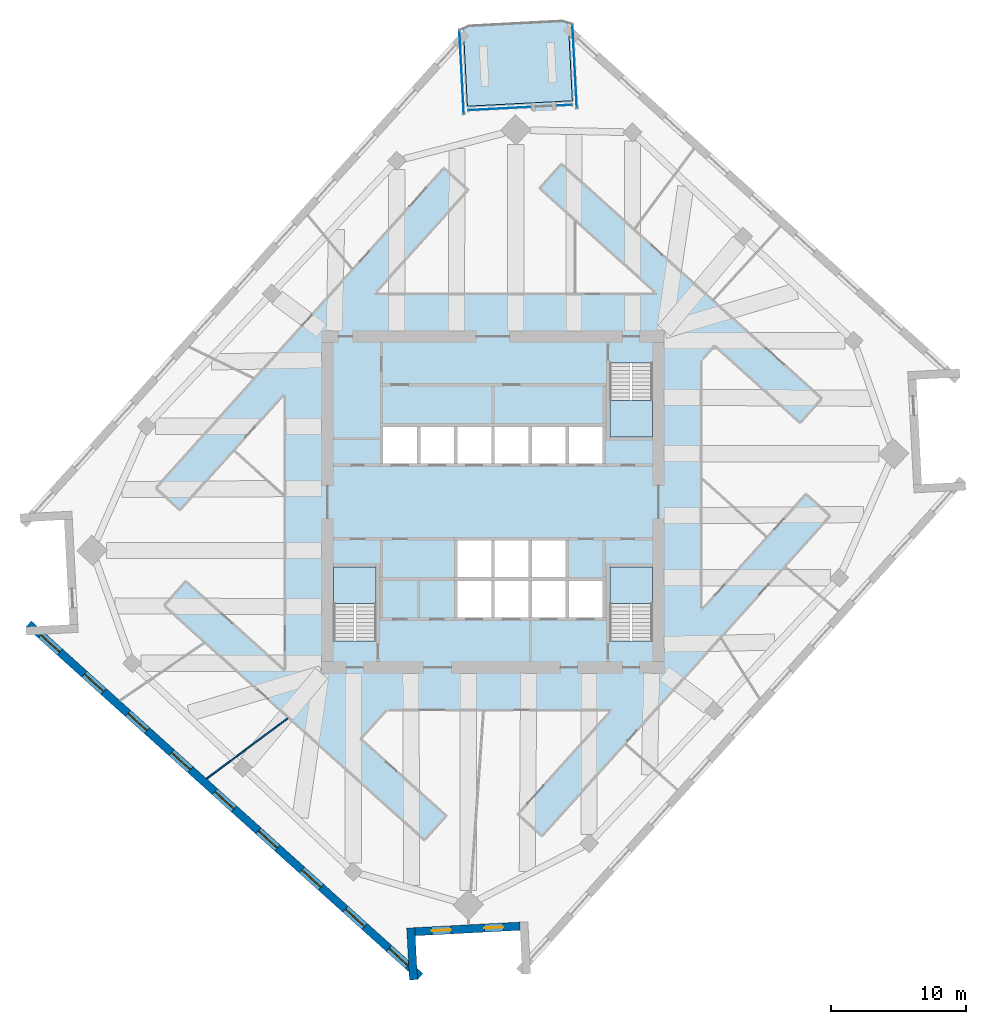
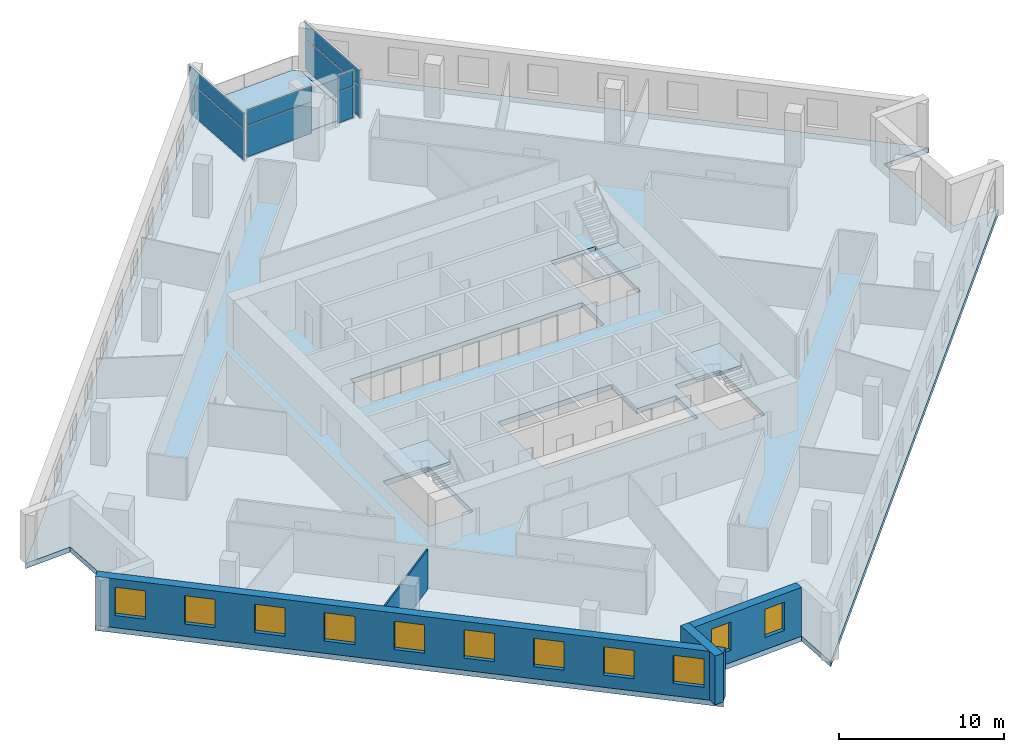
# One storey, part 5 of 12: 11 windows, 8 plates, 5 slabs, 4 walls, 11 openings, 7 elements without a shape of their own.
"""IFC4 building model written with IfcOpenShell, lengths in metres."""

from ifc_helpers import new_model, si_unit, direction, frame, frame_2d, origin, origin_2d, place, context, subcontext, project, spatial, polyline, rectangle, outline, extrude, material, layer, layer_set, type_object, element, fill, aggregate, save


model = new_model("IFC4")

# Units and contexts
model_context = context("Model", 3, precision=1e-05, world=origin(), true_north=direction((0.0, 1.0)))
body_context = subcontext(model_context, "Body", "Model", "MODEL_VIEW")
ifc_project = project(units=[si_unit("LENGTHUNIT", "METRE"), si_unit("AREAUNIT", "SQUARE_METRE"), si_unit("VOLUMEUNIT", "CUBIC_METRE"), si_unit("PLANEANGLEUNIT", "RADIAN"), si_unit("MASSUNIT", "GRAM", prefix="KILO")], contexts=[model_context])

# Site, building, storey
site_placement = place(None, origin())
site = spatial("IfcSite", under=ifc_project, at=site_placement, CompositionType="ELEMENT")
building_placement = place(site_placement, origin())
building = spatial("IfcBuilding", under=site, at=building_placement, Name="Dilmun Exchange Tower", CompositionType="ELEMENT")
storey_placement = place(building_placement, frame((0.0, 0.0, 221.300048828125)))
storey = spatial("IfcBuildingStorey", under=building, at=storey_placement, Name="L52", CompositionType="ELEMENT", Elevation=221.300048828125)

# Stair, slab
ifc_material_1 = material(Name="Concrete C40/50", Category="concrete")
stair_type = type_object("IfcStairType", Name="Exit stair 1500 half-turn", PredefinedType="HALF_TURN_STAIR", material=ifc_material_1)
stair_1_placement = place(storey_placement, origin())
stair_1 = element("IfcStair", 1, at=stair_1_placement, inside=storey, type_object=stair_type, Name="L52 Protected exit stair ST1", PredefinedType="HALF_TURN_STAIR")
ifc_layer_1 = layer(ifc_material_1, 0.199951171875)
ifc_layer_set_1 = layer_set([ifc_layer_1], Name="Concrete C40/50")
slab_type_1 = type_object("IfcSlabType", Name="Exit stair landing 200", PredefinedType="LANDING", material=ifc_layer_set_1)
slab_1_placement = place(storey_placement, frame((0.0, 0.0, 1.800048828125)))
slab_1 = element("IfcSlab", 2, at=slab_1_placement, type_object=slab_type_1, Name="ST1 landing 1", PredefinedType="LANDING", context=body_context, shape_type="SweptSolid", body=[
    extrude(outline(polyline([(8.64990234375, 7.5), (8.64990234375, 4.800048828125), (11.800048828125, 4.800048828125), (11.800048828125, 7.5), (8.64990234375, 7.5)])), origin(), (0.0, 0.0, 1.0), 0.199951171875),
])
aggregate(stair_1, [slab_1])

stair_2_placement = place(storey_placement, origin())
stair_2 = element("IfcStair", 3, at=stair_2_placement, inside=storey, type_object=stair_type, Name="L52 Protected exit stair ST2", PredefinedType="HALF_TURN_STAIR")
slab_2_placement = place(storey_placement, frame((0.0, 0.0, 1.800048828125)))
slab_2 = element("IfcSlab", 4, at=slab_2_placement, type_object=slab_type_1, Name="ST2 landing 1", PredefinedType="LANDING", context=body_context, shape_type="SweptSolid", body=[
    extrude(outline(polyline([(-8.64990234375, -7.5), (-8.64990234375, -4.800048828125), (-11.800048828125, -4.800048828125), (-11.800048828125, -7.5), (-8.64990234375, -7.5)])), origin(), (0.0, 0.0, 1.0), 0.199951171875),
])
aggregate(stair_2, [slab_2])

stair_3_placement = place(storey_placement, origin())
stair_3 = element("IfcStair", 5, at=stair_3_placement, inside=storey, type_object=stair_type, Name="L52 Protected exit stair ST3", PredefinedType="HALF_TURN_STAIR")
slab_3_placement = place(storey_placement, frame((0.0, 0.0, 1.800048828125)))
slab_3 = element("IfcSlab", 6, at=slab_3_placement, type_object=slab_type_1, Name="ST3 landing 1", PredefinedType="LANDING", context=body_context, shape_type="SweptSolid", body=[
    extrude(outline(polyline([(11.800048828125, -7.5), (11.800048828125, -4.800048828125), (8.64990234375, -4.800048828125), (8.64990234375, -7.5), (11.800048828125, -7.5)])), origin(), (0.0, 0.0, 1.0), 0.199951171875),
])
aggregate(stair_3, [slab_3])

# Curtain wall, plates
ifc_material_2 = material(Name="Anodised aluminium and clear glass", Category="aluminium")
curtain_wall_type = type_object("IfcCurtainWallType", Name="Garden corner glazing", PredefinedType="NOTDEFINED", material=ifc_material_2)
curtain_wall_1_placement = place(storey_placement, origin())
curtain_wall_1 = element("IfcCurtainWall", 7, at=curtain_wall_1_placement, inside=storey, type_object=curtain_wall_type, Name="Garden corner glazing run GC1.1", PredefinedType="NOTDEFINED")
ifc_material_3 = material(Name="Clear glass", Category="glass")
ifc_layer_2 = layer(ifc_material_3, 0.028076171875)
ifc_layer_set_2 = layer_set([ifc_layer_2], Name="Clear glass")
plate_type = type_object("IfcPlateType", Name="Garden corner glazing glass panel 28", PredefinedType="CURTAIN_PANEL", material=ifc_layer_set_2)
plate_1_placement = place(storey_placement, frame((6.045654296875, 32.2392578125, 0.059814453125), z_axis=(0.0, 0.0, 1.0), x_axis=(0.052333643452, -0.99862965596, 0.0)))
plate_1 = element("IfcPlate", 8, at=plate_1_placement, type_object=plate_type, Name="GC1.1 panel 1.1", PredefinedType="CURTAIN_PANEL", context=body_context, shape_type="SweptSolid", body=[
    extrude(rectangle(XDim=6.12646484375, YDim=0.028076171875, at=origin_2d()), origin(), (0.0, 0.0, 1.0), 2.31005859375),
])
plate_2_placement = place(storey_placement, frame((6.045654296875, 32.2392578125, 2.429931640625), z_axis=(0.0, 0.0, 1.0), x_axis=(0.052333643452, -0.99862965596, 0.0)))
plate_2 = element("IfcPlate", 9, at=plate_2_placement, type_object=plate_type, Name="GC1.1 panel 1.2", PredefinedType="CURTAIN_PANEL", context=body_context, shape_type="SweptSolid", body=[
    extrude(rectangle(XDim=6.12646484375, YDim=0.028076171875, at=origin_2d()), origin(), (0.0, 0.0, 1.0), 1.1298828125),
])
aggregate(curtain_wall_1, [plate_1, plate_2])

curtain_wall_2_placement = place(storey_placement, origin())
curtain_wall_2 = element("IfcCurtainWall", 10, at=curtain_wall_2_placement, inside=storey, type_object=curtain_wall_type, Name="Garden corner glazing run GC2.1", PredefinedType="NOTDEFINED")
plate_3_placement = place(storey_placement, frame((5.275146484375, 29.37158203125, 0.059814453125), z_axis=(0.0, 0.0, 1.0), x_axis=(-0.998627399071, -0.052376691608, 0.0)))
plate_3 = element("IfcPlate", 11, at=plate_3_placement, type_object=plate_type, Name="GC2.1 panel 1.1", PredefinedType="CURTAIN_PANEL", context=body_context, shape_type="SweptSolid", body=[
    extrude(rectangle(XDim=1.119140625, YDim=0.028076171875, at=origin_2d()), origin(), (0.0, 0.0, 1.0), 2.31005859375),
])
plate_4_placement = place(storey_placement, frame((5.275146484375, 29.37158203125, 2.429931640625), z_axis=(0.0, 0.0, 1.0), x_axis=(-0.998627399071, -0.052376691608, 0.0)))
plate_4 = element("IfcPlate", 12, at=plate_4_placement, type_object=plate_type, Name="GC2.1 panel 1.2", PredefinedType="CURTAIN_PANEL", context=body_context, shape_type="SweptSolid", body=[
    extrude(rectangle(XDim=1.119140625, YDim=0.028076171875, at=origin_2d()), origin(), (0.0, 0.0, 1.0), 1.1298828125),
])
aggregate(curtain_wall_2, [plate_3, plate_4])

curtain_wall_3_placement = place(storey_placement, origin())
curtain_wall_3 = element("IfcCurtainWall", 13, at=curtain_wall_3_placement, inside=storey, type_object=curtain_wall_type, Name="Garden corner glazing run GC2.3", PredefinedType="NOTDEFINED")
plate_5_placement = place(storey_placement, frame((0.49267578125, 29.12109375, 0.059814453125), z_axis=(0.0, 0.0, 1.0), x_axis=(-0.998629811068, -0.052330683595, 0.0)))
plate_5 = element("IfcPlate", 14, at=plate_5_placement, type_object=plate_type, Name="GC2.3 panel 1.1", PredefinedType="CURTAIN_PANEL", context=body_context, shape_type="SweptSolid", body=[
    extrude(rectangle(XDim=4.619140625, YDim=0.028076171875, at=origin_2d()), origin(), (0.0, 0.0, 1.0), 2.31005859375),
])
plate_6_placement = place(storey_placement, frame((0.49267578125, 29.12109375, 2.429931640625), z_axis=(0.0, 0.0, 1.0), x_axis=(-0.998629811068, -0.052330683595, 0.0)))
plate_6 = element("IfcPlate", 15, at=plate_6_placement, type_object=plate_type, Name="GC2.3 panel 1.2", PredefinedType="CURTAIN_PANEL", context=body_context, shape_type="SweptSolid", body=[
    extrude(rectangle(XDim=4.619140625, YDim=0.028076171875, at=origin_2d()), origin(), (0.0, 0.0, 1.0), 1.1298828125),
])
aggregate(curtain_wall_3, [plate_5, plate_6])

curtain_wall_4_placement = place(storey_placement, origin())
curtain_wall_4 = element("IfcCurtainWall", 16, at=curtain_wall_4_placement, inside=storey, type_object=curtain_wall_type, Name="Garden corner glazing run GC3.1", PredefinedType="NOTDEFINED")
plate_7_placement = place(storey_placement, frame((-2.321044921875, 31.800537109375, 0.059814453125), z_axis=(0.0, 0.0, 1.0), x_axis=(-0.052333643452, 0.99862965596, 0.0)))
plate_7 = element("IfcPlate", 17, at=plate_7_placement, type_object=plate_type, Name="GC3.1 panel 1.1", PredefinedType="CURTAIN_PANEL", context=body_context, shape_type="SweptSolid", body=[
    extrude(rectangle(XDim=6.12646484375, YDim=0.028076171875, at=origin_2d()), origin(), (0.0, 0.0, 1.0), 2.31005859375),
])
plate_8_placement = place(storey_placement, frame((-2.321044921875, 31.800537109375, 2.429931640625), z_axis=(0.0, 0.0, 1.0), x_axis=(-0.052333643452, 0.99862965596, 0.0)))
plate_8 = element("IfcPlate", 18, at=plate_8_placement, type_object=plate_type, Name="GC3.1 panel 1.2", PredefinedType="CURTAIN_PANEL", context=body_context, shape_type="SweptSolid", body=[
    extrude(rectangle(XDim=6.12646484375, YDim=0.028076171875, at=origin_2d()), origin(), (0.0, 0.0, 1.0), 1.1298828125),
])
aggregate(curtain_wall_4, [plate_7, plate_8])

# Slabs
ifc_layer_3 = layer(ifc_material_1, 0.3798828125)
ifc_layer_set_3 = layer_set([ifc_layer_3], Name="Concrete C40/50")
slab_type_2 = type_object("IfcSlabType", Name="RC floor slab 380", PredefinedType="FLOOR", material=ifc_layer_set_3)
slab_4_placement = place(storey_placement, frame((0.0, 0.0, -0.380126953125)))
element("IfcSlab", 19, at=slab_4_placement, inside=storey, type_object=slab_type_2, Name="Floor slab", PredefinedType="FLOOR", context=body_context, shape_type="SweptSolid", body=[
    extrude(outline(polyline([(31.3232421875, 9.076416015625), (31.730224609375, 1.308837890625), (34.972412109375, 1.478759765625), (2.184814453125, -34.935302734375), (2.014892578125, -31.693359375), (-5.75244140625, -32.100341796875), (-5.58251953125, -35.34228515625), (-34.565185546875, -9.246337890625), (-31.3232421875, -9.076416015625), (-31.730224609375, -1.308837890625), (-34.972412109375, -1.478759765625), (-2.184814453125, 34.935302734375), (-1.889404296875, 29.296630859375), (5.878173828125, 29.70361328125), (5.58251953125, 35.34228515625), (34.565185546875, 9.246337890625), (31.3232421875, 9.076416015625)]), holes=[polyline([(-8.64990234375, -4.800048828125), (-11.800048828125, -4.800048828125), (-11.800048828125, -10.294921875), (-8.64990234375, -10.294921875), (-8.64990234375, -4.800048828125)]), polyline([(11.800048828125, -4.800048828125), (8.64990234375, -4.800048828125), (8.64990234375, -10.294921875), (11.800048828125, -10.294921875), (11.800048828125, -4.800048828125)]), polyline([(5.375, -2.85009765625), (-2.625, -2.85009765625), (-2.625, -8.550048828125), (8.125, -8.550048828125), (8.125, -5.85009765625), (5.375, -5.85009765625), (5.375, -2.85009765625)]), polyline([(8.125, 2.85009765625), (8.125, 5.550048828125), (-8.125, 5.550048828125), (-8.125, 2.85009765625), (8.125, 2.85009765625)]), polyline([(8.64990234375, 10.294921875), (8.64990234375, 4.800048828125), (11.800048828125, 4.800048828125), (11.800048828125, 10.294921875), (8.64990234375, 10.294921875)])]), origin(), (0.0, 0.0, 1.0), 0.380126953125),
])
ifc_layer_4 = layer(ifc_material_1, 0.300048828125)
ifc_layer_set_4 = layer_set([ifc_layer_4], Name="Concrete C40/50")
slab_type_3 = type_object("IfcSlabType", Name="RC garden terrace slab 300", PredefinedType="FLOOR", material=ifc_layer_set_4)
slab_5_placement = place(storey_placement, frame((0.0, 0.0, -0.300048828125)))
element("IfcSlab", 20, at=slab_5_placement, inside=storey, type_object=slab_type_3, Name="Garden terrace slab", PredefinedType="FLOOR", context=body_context, shape_type="SweptSolid", body=[
    extrude(outline(polyline([(-1.889404296875, 29.296630859375), (-2.184814453125, 34.935302734375), (-1.850341796875, 35.306884765625), (5.2109375, 35.677001953125), (5.58251953125, 35.34228515625), (5.878173828125, 29.70361328125), (-1.889404296875, 29.296630859375)])), origin(), (0.0, 0.0, 1.0), 0.300048828125),
])

# Wall
ifc_material_4 = material(Name="Partition 100")
ifc_layer_5 = layer(ifc_material_4, 0.10009765625)
ifc_layer_set_5 = layer_set([ifc_layer_5], Name="Partition 100")
wall_type_1 = type_object("IfcWallType", Name="Partition 100", PredefinedType="PARTITIONING", material=ifc_layer_set_5)
wall_1_placement = place(storey_placement, frame((-21.193359375, -20.476318359375, 0.0), z_axis=(0.0, 0.0, 1.0), x_axis=(0.802187781021, 0.597071824808, 0.0)))
element("IfcWall", 21, at=wall_1_placement, inside=storey, type_object=wall_type_1, Name="Partition", PredefinedType="PARTITIONING", context=body_context, shape_type="SweptSolid", body=[
    extrude(rectangle(XDim=7.480712890625, YDim=0.10009765625, at=frame_2d((3.740234375, 0.0))), origin(), (0.0, 0.0, 1.0), 2.969970703125),
])

# Wall, openings, windows
ifc_material_5 = material(Name="Precast concrete C50/60", Category="concrete")
ifc_layer_6 = layer(ifc_material_5, 0.60009765625)
ifc_layer_set_6 = layer_set([ifc_layer_6], Name="Precast concrete C50/60")
wall_type_2 = type_object("IfcWallType", Name="Precast stone-clad wall 600", PredefinedType="STANDARD", material=ifc_layer_set_6)
wall_2_placement = place(storey_placement, frame((-34.364501953125, -9.0234375, 0.0), z_axis=(0.0, 0.0, 1.0), x_axis=(0.743146896498, -0.66912830625, 0.0)))
wall_2 = element("IfcWall", 22, at=wall_2_placement, inside=storey, type_object=wall_type_2, Name="Facade wall L52-07", PredefinedType="STANDARD", context=body_context, shape_type="SweptSolid", body=[
    extrude(rectangle(XDim=39.0, YDim=0.60009765625, at=frame_2d((19.5, 0.0))), origin(), (0.0, 0.0, 1.0), 3.619873046875),
])
opening_1_placement = place(wall_2_placement, frame((1.216796875, 0.0, 0.89990234375)))
opening_1 = element("IfcOpeningElement", 23, at=opening_1_placement, cuts=wall_2, Name="Opening W190-210", PredefinedType="OPENING", context=body_context, shape_type="SweptSolid", body=[
    extrude(rectangle(XDim=1.89990234375, YDim=2.10009765625, at=frame_2d((0.949951171875, 1.050048828125))), frame((0.0, 0.31005859375, 0.0), z_axis=(0.0, -1.0, 0.0), x_axis=(1.0, 0.0, 0.0)), (0.0, 0.0, 1.0), 0.6201171875),
])
opening_2_placement = place(wall_2_placement, frame((5.550048828125, 0.0, 0.89990234375)))
opening_2 = element("IfcOpeningElement", 24, at=opening_2_placement, cuts=wall_2, Name="Opening W190-210", PredefinedType="OPENING", context=body_context, shape_type="SweptSolid", body=[
    extrude(rectangle(XDim=1.89990234375, YDim=2.10009765625, at=frame_2d((0.949951171875, 1.050048828125))), frame((0.0, 0.31005859375, 0.0), z_axis=(0.0, -1.0, 0.0), x_axis=(1.0, 0.0, 0.0)), (0.0, 0.0, 1.0), 0.6201171875),
])
opening_3_placement = place(wall_2_placement, frame((9.88330078125, 0.0, 0.89990234375)))
opening_3 = element("IfcOpeningElement", 25, at=opening_3_placement, cuts=wall_2, Name="Opening W190-210", PredefinedType="OPENING", context=body_context, shape_type="SweptSolid", body=[
    extrude(rectangle(XDim=1.89990234375, YDim=2.10009765625, at=frame_2d((0.949951171875, 1.050048828125))), frame((0.0, 0.31005859375, 0.0), z_axis=(0.0, -1.0, 0.0), x_axis=(1.0, 0.0, 0.0)), (0.0, 0.0, 1.0), 0.6201171875),
])
opening_4_placement = place(wall_2_placement, frame((14.216796875, 0.0, 0.89990234375)))
opening_4 = element("IfcOpeningElement", 26, at=opening_4_placement, cuts=wall_2, Name="Opening W190-210", PredefinedType="OPENING", context=body_context, shape_type="SweptSolid", body=[
    extrude(rectangle(XDim=1.89990234375, YDim=2.10009765625, at=frame_2d((0.949951171875, 1.050048828125))), frame((0.0, 0.31005859375, 0.0), z_axis=(0.0, -1.0, 0.0), x_axis=(1.0, 0.0, 0.0)), (0.0, 0.0, 1.0), 0.6201171875),
])
opening_5_placement = place(wall_2_placement, frame((18.550048828125, 0.0, 0.89990234375)))
opening_5 = element("IfcOpeningElement", 27, at=opening_5_placement, cuts=wall_2, Name="Opening W190-210", PredefinedType="OPENING", context=body_context, shape_type="SweptSolid", body=[
    extrude(rectangle(XDim=1.89990234375, YDim=2.10009765625, at=frame_2d((0.949951171875, 1.050048828125))), frame((0.0, 0.31005859375, 0.0), z_axis=(0.0, -1.0, 0.0), x_axis=(1.0, 0.0, 0.0)), (0.0, 0.0, 1.0), 0.6201171875),
])
opening_6_placement = place(wall_2_placement, frame((22.88330078125, 0.0, 0.89990234375)))
opening_6 = element("IfcOpeningElement", 28, at=opening_6_placement, cuts=wall_2, Name="Opening W190-210", PredefinedType="OPENING", context=body_context, shape_type="SweptSolid", body=[
    extrude(rectangle(XDim=1.89990234375, YDim=2.10009765625, at=frame_2d((0.949951171875, 1.050048828125))), frame((0.0, 0.31005859375, 0.0), z_axis=(0.0, -1.0, 0.0), x_axis=(1.0, 0.0, 0.0)), (0.0, 0.0, 1.0), 0.6201171875),
])
opening_7_placement = place(wall_2_placement, frame((27.216796875, 0.0, 0.89990234375)))
opening_7 = element("IfcOpeningElement", 29, at=opening_7_placement, cuts=wall_2, Name="Opening W190-210", PredefinedType="OPENING", context=body_context, shape_type="SweptSolid", body=[
    extrude(rectangle(XDim=1.89990234375, YDim=2.10009765625, at=frame_2d((0.949951171875, 1.050048828125))), frame((0.0, 0.31005859375, 0.0), z_axis=(0.0, -1.0, 0.0), x_axis=(1.0, 0.0, 0.0)), (0.0, 0.0, 1.0), 0.6201171875),
])
opening_8_placement = place(wall_2_placement, frame((31.550048828125, 0.0, 0.89990234375)))
opening_8 = element("IfcOpeningElement", 30, at=opening_8_placement, cuts=wall_2, Name="Opening W190-210", PredefinedType="OPENING", context=body_context, shape_type="SweptSolid", body=[
    extrude(rectangle(XDim=1.89990234375, YDim=2.10009765625, at=frame_2d((0.949951171875, 1.050048828125))), frame((0.0, 0.31005859375, 0.0), z_axis=(0.0, -1.0, 0.0), x_axis=(1.0, 0.0, 0.0)), (0.0, 0.0, 1.0), 0.6201171875),
])
opening_9_placement = place(wall_2_placement, frame((35.88330078125, 0.0, 0.89990234375)))
opening_9 = element("IfcOpeningElement", 31, at=opening_9_placement, cuts=wall_2, Name="Opening W190-210", PredefinedType="OPENING", context=body_context, shape_type="SweptSolid", body=[
    extrude(rectangle(XDim=1.89990234375, YDim=2.10009765625, at=frame_2d((0.949951171875, 1.050048828125))), frame((0.0, 0.31005859375, 0.0), z_axis=(0.0, -1.0, 0.0), x_axis=(1.0, 0.0, 0.0)), (0.0, 0.0, 1.0), 0.6201171875),
])
ifc_material_6 = material(Name="Clear low-emissivity glass in aluminium frame", Category="aluminium")
window_type_1 = type_object("IfcWindowType", Name="Punched window 1900 x 2100", PartitioningType="DOUBLE_PANEL_VERTICAL", PredefinedType="WINDOW", material=ifc_material_6)
window_1_placement = place(opening_1_placement, origin())
window_1 = element("IfcWindow", 32, at=window_1_placement, inside=storey, type_object=window_type_1, Name="Window 8.1", OverallHeight=2.10009765625, OverallWidth=1.89990234375, PartitioningType="SINGLE_PANEL", PredefinedType="WINDOW", context=body_context, shape_type="SweptSolid", body=[
    extrude(rectangle(XDim=1.89990234375, YDim=2.10009765625, at=frame_2d((0.949951171875, 1.050048828125))), frame((0.0, 0.030029296875, 0.0), z_axis=(0.0, -1.0, 0.0), x_axis=(1.0, 0.0, 0.0)), (0.0, 0.0, 1.0), 0.06005859375),
])
fill(opening_1, window_1)
window_2_placement = place(opening_2_placement, origin())
window_2 = element("IfcWindow", 33, at=window_2_placement, inside=storey, type_object=window_type_1, Name="Window 8.2", OverallHeight=2.10009765625, OverallWidth=1.89990234375, PartitioningType="SINGLE_PANEL", PredefinedType="WINDOW", context=body_context, shape_type="SweptSolid", body=[
    extrude(rectangle(XDim=1.89990234375, YDim=2.10009765625, at=frame_2d((0.949951171875, 1.050048828125))), frame((0.0, 0.030029296875, 0.0), z_axis=(0.0, -1.0, 0.0), x_axis=(1.0, 0.0, 0.0)), (0.0, 0.0, 1.0), 0.06005859375),
])
fill(opening_2, window_2)
window_3_placement = place(opening_3_placement, origin())
window_3 = element("IfcWindow", 34, at=window_3_placement, inside=storey, type_object=window_type_1, Name="Window 8.3", OverallHeight=2.10009765625, OverallWidth=1.89990234375, PartitioningType="SINGLE_PANEL", PredefinedType="WINDOW", context=body_context, shape_type="SweptSolid", body=[
    extrude(rectangle(XDim=1.89990234375, YDim=2.10009765625, at=frame_2d((0.949951171875, 1.050048828125))), frame((0.0, 0.030029296875, 0.0), z_axis=(0.0, -1.0, 0.0), x_axis=(1.0, 0.0, 0.0)), (0.0, 0.0, 1.0), 0.06005859375),
])
fill(opening_3, window_3)
window_4_placement = place(opening_4_placement, origin())
window_4 = element("IfcWindow", 35, at=window_4_placement, inside=storey, type_object=window_type_1, Name="Window 8.4", OverallHeight=2.10009765625, OverallWidth=1.89990234375, PartitioningType="SINGLE_PANEL", PredefinedType="WINDOW", context=body_context, shape_type="SweptSolid", body=[
    extrude(rectangle(XDim=1.89990234375, YDim=2.10009765625, at=frame_2d((0.949951171875, 1.050048828125))), frame((0.0, 0.030029296875, 0.0), z_axis=(0.0, -1.0, 0.0), x_axis=(1.0, 0.0, 0.0)), (0.0, 0.0, 1.0), 0.06005859375),
])
fill(opening_4, window_4)
window_5_placement = place(opening_5_placement, origin())
window_5 = element("IfcWindow", 36, at=window_5_placement, inside=storey, type_object=window_type_1, Name="Window 8.5", OverallHeight=2.10009765625, OverallWidth=1.89990234375, PartitioningType="SINGLE_PANEL", PredefinedType="WINDOW", context=body_context, shape_type="SweptSolid", body=[
    extrude(rectangle(XDim=1.89990234375, YDim=2.10009765625, at=frame_2d((0.949951171875, 1.050048828125))), frame((0.0, 0.030029296875, 0.0), z_axis=(0.0, -1.0, 0.0), x_axis=(1.0, 0.0, 0.0)), (0.0, 0.0, 1.0), 0.06005859375),
])
fill(opening_5, window_5)
window_6_placement = place(opening_6_placement, origin())
window_6 = element("IfcWindow", 37, at=window_6_placement, inside=storey, type_object=window_type_1, Name="Window 8.6", OverallHeight=2.10009765625, OverallWidth=1.89990234375, PartitioningType="SINGLE_PANEL", PredefinedType="WINDOW", context=body_context, shape_type="SweptSolid", body=[
    extrude(rectangle(XDim=1.89990234375, YDim=2.10009765625, at=frame_2d((0.949951171875, 1.050048828125))), frame((0.0, 0.030029296875, 0.0), z_axis=(0.0, -1.0, 0.0), x_axis=(1.0, 0.0, 0.0)), (0.0, 0.0, 1.0), 0.06005859375),
])
fill(opening_6, window_6)
window_7_placement = place(opening_7_placement, origin())
window_7 = element("IfcWindow", 38, at=window_7_placement, inside=storey, type_object=window_type_1, Name="Window 8.7", OverallHeight=2.10009765625, OverallWidth=1.89990234375, PartitioningType="SINGLE_PANEL", PredefinedType="WINDOW", context=body_context, shape_type="SweptSolid", body=[
    extrude(rectangle(XDim=1.89990234375, YDim=2.10009765625, at=frame_2d((0.949951171875, 1.050048828125))), frame((0.0, 0.030029296875, 0.0), z_axis=(0.0, -1.0, 0.0), x_axis=(1.0, 0.0, 0.0)), (0.0, 0.0, 1.0), 0.06005859375),
])
fill(opening_7, window_7)
window_8_placement = place(opening_8_placement, origin())
window_8 = element("IfcWindow", 39, at=window_8_placement, inside=storey, type_object=window_type_1, Name="Window 8.8", OverallHeight=2.10009765625, OverallWidth=1.89990234375, PartitioningType="SINGLE_PANEL", PredefinedType="WINDOW", context=body_context, shape_type="SweptSolid", body=[
    extrude(rectangle(XDim=1.89990234375, YDim=2.10009765625, at=frame_2d((0.949951171875, 1.050048828125))), frame((0.0, 0.030029296875, 0.0), z_axis=(0.0, -1.0, 0.0), x_axis=(1.0, 0.0, 0.0)), (0.0, 0.0, 1.0), 0.06005859375),
])
fill(opening_8, window_8)
window_9_placement = place(opening_9_placement, origin())
window_9 = element("IfcWindow", 40, at=window_9_placement, inside=storey, type_object=window_type_1, Name="Window 8.9", OverallHeight=2.10009765625, OverallWidth=1.89990234375, PartitioningType="SINGLE_PANEL", PredefinedType="WINDOW", context=body_context, shape_type="SweptSolid", body=[
    extrude(rectangle(XDim=1.89990234375, YDim=2.10009765625, at=frame_2d((0.949951171875, 1.050048828125))), frame((0.0, 0.030029296875, 0.0), z_axis=(0.0, -1.0, 0.0), x_axis=(1.0, 0.0, 0.0)), (0.0, 0.0, 1.0), 0.06005859375),
])
fill(opening_9, window_9)

# Wall
wall_3_placement = place(storey_placement, frame((-5.882080078125, -35.358154296875, 0.0), z_axis=(0.0, 0.0, 1.0), x_axis=(-0.05236228724, 0.998628154457, 0.0)))
element("IfcWall", 41, at=wall_3_placement, inside=storey, type_object=wall_type_2, Name="Facade wall L52-08", PredefinedType="STANDARD", context=body_context, shape_type="SweptSolid", body=[
    extrude(rectangle(XDim=3.8466796875, YDim=0.60009765625, at=frame_2d((1.92333984375, 0.0))), origin(), (0.0, 0.0, 1.0), 3.619873046875),
])

# Wall, openings, windows
wall_4_placement = place(storey_placement, frame((-5.768310546875, -31.80078125, 0.0), z_axis=(0.0, 0.0, 1.0), x_axis=(0.998630200543, 0.052323250701, 0.0)))
wall_4 = element("IfcWall", 42, at=wall_4_placement, inside=storey, type_object=wall_type_2, Name="Facade wall L52-09", PredefinedType="STANDARD", context=body_context, shape_type="SweptSolid", body=[
    extrude(rectangle(XDim=7.7783203125, YDim=0.60009765625, at=frame_2d((3.88916015625, 0.0))), origin(), (0.0, 0.0, 1.0), 3.619873046875),
])
opening_10_placement = place(wall_4_placement, frame((1.244384765625, 0.0, 0.89990234375)))
opening_10 = element("IfcOpeningElement", 43, at=opening_10_placement, cuts=wall_4, Name="Opening W140-210", PredefinedType="OPENING", context=body_context, shape_type="SweptSolid", body=[
    extrude(rectangle(XDim=1.39990234375, YDim=2.10009765625, at=frame_2d((0.699951171875, 1.050048828125))), frame((0.0, 0.31005859375, 0.0), z_axis=(0.0, -1.0, 0.0), x_axis=(1.0, 0.0, 0.0)), (0.0, 0.0, 1.0), 0.6201171875),
])
opening_11_placement = place(wall_4_placement, frame((5.133544921875, 0.0, 0.89990234375)))
opening_11 = element("IfcOpeningElement", 44, at=opening_11_placement, cuts=wall_4, Name="Opening W140-210", PredefinedType="OPENING", context=body_context, shape_type="SweptSolid", body=[
    extrude(rectangle(XDim=1.39990234375, YDim=2.10009765625, at=frame_2d((0.699951171875, 1.050048828125))), frame((0.0, 0.31005859375, 0.0), z_axis=(0.0, -1.0, 0.0), x_axis=(1.0, 0.0, 0.0)), (0.0, 0.0, 1.0), 0.6201171875),
])
window_type_2 = type_object("IfcWindowType", Name="Punched window 1400 x 2100", PartitioningType="DOUBLE_PANEL_VERTICAL", PredefinedType="WINDOW", material=ifc_material_6)
window_10_placement = place(opening_10_placement, origin())
window_10 = element("IfcWindow", 45, at=window_10_placement, inside=storey, type_object=window_type_2, Name="Window 10.1", OverallHeight=2.10009765625, OverallWidth=1.39990234375, PartitioningType="SINGLE_PANEL", PredefinedType="WINDOW", context=body_context, shape_type="SweptSolid", body=[
    extrude(rectangle(XDim=1.39990234375, YDim=2.10009765625, at=frame_2d((0.699951171875, 1.050048828125))), frame((0.0, 0.030029296875, 0.0), z_axis=(0.0, -1.0, 0.0), x_axis=(1.0, 0.0, 0.0)), (0.0, 0.0, 1.0), 0.06005859375),
])
fill(opening_10, window_10)
window_11_placement = place(opening_11_placement, origin())
window_11 = element("IfcWindow", 46, at=window_11_placement, inside=storey, type_object=window_type_2, Name="Window 10.2", OverallHeight=2.10009765625, OverallWidth=1.39990234375, PartitioningType="SINGLE_PANEL", PredefinedType="WINDOW", context=body_context, shape_type="SweptSolid", body=[
    extrude(rectangle(XDim=1.39990234375, YDim=2.10009765625, at=frame_2d((0.699951171875, 1.050048828125))), frame((0.0, 0.030029296875, 0.0), z_axis=(0.0, -1.0, 0.0), x_axis=(1.0, 0.0, 0.0)), (0.0, 0.0, 1.0), 0.06005859375),
])
fill(opening_11, window_11)

save(model, "model.ifc")
